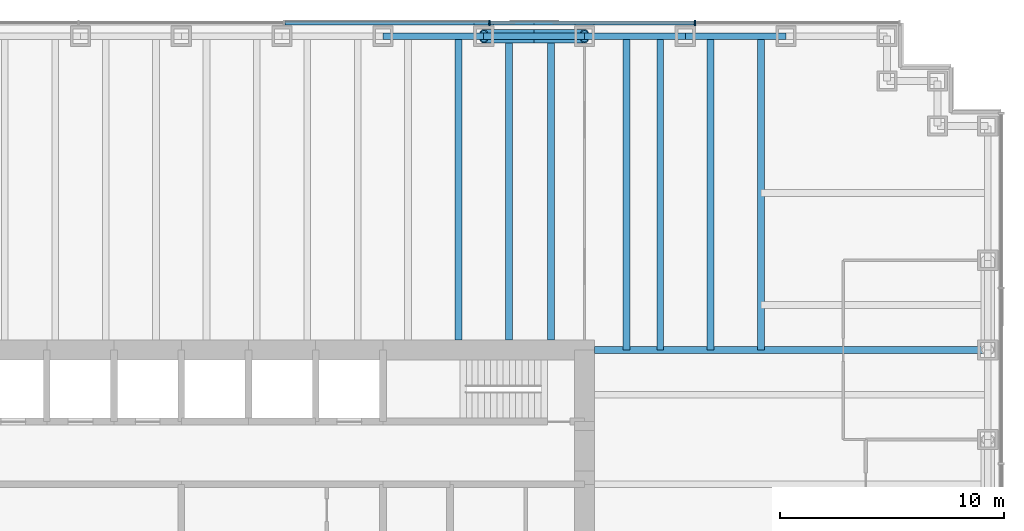
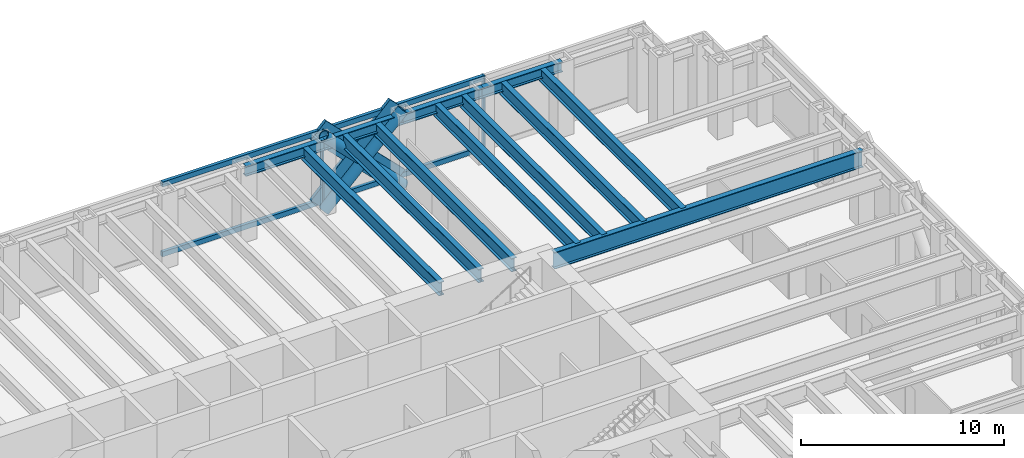
# One storey, part 6 of 13: 12 beams, 10 members, 1 element without a shape of its own.
"""IFC4 building model written with IfcOpenShell, lengths in metres."""

from ifc_helpers import new_model, si_unit, direction, frame, origin, origin_2d, place, context, subcontext, project, spatial, rectangle, hollow_circle, i_section, extrude, material, material_profile, profile_set, type_object, element, aggregate, save


model = new_model("IFC4")

# Units and contexts
model_context = context("Model", 3, precision=1e-05, world=origin(), true_north=direction((0.0, 1.0)))
body_context = subcontext(model_context, "Body", "Model", "MODEL_VIEW")
ifc_project = project(units=[si_unit("LENGTHUNIT", "METRE"), si_unit("AREAUNIT", "SQUARE_METRE"), si_unit("VOLUMEUNIT", "CUBIC_METRE"), si_unit("PLANEANGLEUNIT", "RADIAN"), si_unit("MASSUNIT", "GRAM", prefix="KILO")], contexts=[model_context])

# Site, building, storey
site_placement = place(None, origin())
site = spatial("IfcSite", under=ifc_project, at=site_placement, CompositionType="ELEMENT")
building_placement = place(site_placement, origin())
building = spatial("IfcBuilding", under=site, at=building_placement, Name="Rheinbord Bourse Tower", CompositionType="ELEMENT")
storey_placement = place(building_placement, frame((0.0, 0.0, 45.5)))
storey = spatial("IfcBuildingStorey", under=building, at=storey_placement, Name="L09", CompositionType="ELEMENT", Elevation=45.5)

# Curtain wall, members
ifc_material_1 = material(Name="Dark glass and black aluminium", Category="aluminium")
curtain_wall_type = type_object("IfcCurtainWallType", Name="CW1 DARK GLASS CURTAIN WALL", PredefinedType="USERDEFINED", material=ifc_material_1)
curtain_wall_placement = place(storey_placement, origin())
curtain_wall = element("IfcCurtainWall", 1, at=curtain_wall_placement, inside=storey, type_object=curtain_wall_type, Name="Curtain wall CW1 N L09", ObjectType="UNITISED CURTAIN WALL", PredefinedType="USERDEFINED")
ifc_material_2 = material(Name="Black anodised aluminium", Category="aluminium")
ifc_material_profile_1 = material_profile(ifc_material_2, rectangle(XDim=0.179931640625, YDim=1.2099609375, at=origin_2d()), Name="CW1 DIAGONAL MULLION 1210x180")
ifc_profile_set_1 = profile_set([ifc_material_profile_1], Name="Black anodised aluminium")
member_type_1 = type_object("IfcMemberType", Name="CW1 BLACK DIAGONAL MULLION", PredefinedType="USERDEFINED", material=ifc_profile_set_1)
member_1_placement = place(storey_placement, frame((49.5, 46.60009765625, 0.0), z_axis=(0.707106781187, 0.0, 0.707106781187), x_axis=(0.0, 1.0, 0.0)))
member_1 = element("IfcMember", 2, at=member_1_placement, type_object=member_type_1, Name="CW1 diagonal mullion a", ObjectType="DIAGONAL MULLION", PredefinedType="USERDEFINED", context=body_context, shape_type="SweptSolid", body=[
    extrude(rectangle(XDim=0.179931640625, YDim=1.2099609375, at=origin_2d()), origin(), (0.0, 0.0, 1.0), 6.364013671875),
])
member_2_placement = place(storey_placement, frame((54.0, 46.60009765625, 0.0), z_axis=(-0.707106781187, 0.0, 0.707106781187), x_axis=(0.0, -1.0, 0.0)))
member_2 = element("IfcMember", 3, at=member_2_placement, type_object=member_type_1, Name="CW1 diagonal mullion c", ObjectType="DIAGONAL MULLION", PredefinedType="USERDEFINED", context=body_context, shape_type="SweptSolid", body=[
    extrude(rectangle(XDim=0.179931640625, YDim=1.2099609375, at=origin_2d()), origin(), (0.0, 0.0, 1.0), 6.364013671875),
])
ifc_material_3 = material(Name="Black anodised aluminium", Category="aluminium")
ifc_material_profile_2 = material_profile(ifc_material_3, rectangle(XDim=0.25, YDim=0.080078125, at=origin_2d()), Name="CW1 MULLION 80x250")
ifc_profile_set_2 = profile_set([ifc_material_profile_2], Name="Black anodised aluminium")
member_type_2 = type_object("IfcMemberType", Name="CW1 BLACK MULLION", PredefinedType="MULLION", material=ifc_profile_set_2)
member_3_placement = place(storey_placement, frame((58.928466796875, 46.60009765625, 0.0), z_axis=(0.0, 0.0, 1.0), x_axis=(0.0, -1.0, 0.0)))
member_3 = element("IfcMember", 4, at=member_3_placement, type_object=member_type_2, Name="CW1 mullion 2", PredefinedType="MULLION", context=body_context, shape_type="SweptSolid", body=[
    extrude(rectangle(XDim=0.25, YDim=0.080078125, at=origin_2d()), origin(), (0.0, 0.0, 1.0), 4.5),
])
member_4_placement = place(storey_placement, frame((49.757080078125, 46.60009765625, 0.0), z_axis=(0.0, 0.0, 1.0), x_axis=(0.0, -1.0, 0.0)))
member_4 = element("IfcMember", 5, at=member_4_placement, type_object=member_type_2, Name="CW1 mullion 3", PredefinedType="MULLION", context=body_context, shape_type="SweptSolid", body=[
    extrude(rectangle(XDim=0.25, YDim=0.080078125, at=origin_2d()), origin(), (0.0, 0.0, 1.0), 4.5),
])
ifc_material_4 = material(Name="Black anodised aluminium", Category="aluminium")
ifc_material_profile_3 = material_profile(ifc_material_4, rectangle(XDim=0.179931640625, YDim=0.300048828125, at=origin_2d()), Name="CW1 TRANSOM 300x180")
ifc_profile_set_3 = profile_set([ifc_material_profile_3], Name="Black anodised aluminium")
member_type_3 = type_object("IfcMemberType", Name="CW1 BLACK TRANSOM", PredefinedType="USERDEFINED", material=ifc_profile_set_3)
member_5_placement = place(storey_placement, frame((58.888671875, 46.60009765625, 0.14990234375), z_axis=(-1.0, 0.0, 0.0), x_axis=(0.0, -1.0, 0.0)))
member_5 = element("IfcMember", 6, at=member_5_placement, type_object=member_type_3, Name="CW1 transom 2.1", ObjectType="TRANSOM", PredefinedType="USERDEFINED", context=body_context, shape_type="SweptSolid", body=[
    extrude(rectangle(XDim=0.179931640625, YDim=0.300048828125, at=origin_2d()), origin(), (0.0, 0.0, 1.0), 9.091552734375),
])
member_6_placement = place(storey_placement, frame((58.888671875, 46.60009765625, 4.35009765625), z_axis=(-1.0, 0.0, 0.0), x_axis=(0.0, -1.0, 0.0)))
member_6 = element("IfcMember", 7, at=member_6_placement, type_object=member_type_3, Name="CW1 transom 2.2", ObjectType="TRANSOM", PredefinedType="USERDEFINED", context=body_context, shape_type="SweptSolid", body=[
    extrude(rectangle(XDim=0.179931640625, YDim=0.300048828125, at=origin_2d()), origin(), (0.0, 0.0, 1.0), 9.091552734375),
])
member_7_placement = place(storey_placement, frame((49.717041015625, 46.60009765625, 0.14990234375), z_axis=(-1.0, 0.0, 0.0), x_axis=(0.0, -1.0, 0.0)))
member_7 = element("IfcMember", 8, at=member_7_placement, type_object=member_type_3, Name="CW1 transom 3.1", ObjectType="TRANSOM", PredefinedType="USERDEFINED", context=body_context, shape_type="SweptSolid", body=[
    extrude(rectangle(XDim=0.179931640625, YDim=0.300048828125, at=origin_2d()), origin(), (0.0, 0.0, 1.0), 9.09130859375),
])
member_8_placement = place(storey_placement, frame((49.717041015625, 46.60009765625, 4.35009765625), z_axis=(-1.0, 0.0, 0.0), x_axis=(0.0, -1.0, 0.0)))
member_8 = element("IfcMember", 9, at=member_8_placement, type_object=member_type_3, Name="CW1 transom 3.2", ObjectType="TRANSOM", PredefinedType="USERDEFINED", context=body_context, shape_type="SweptSolid", body=[
    extrude(rectangle(XDim=0.179931640625, YDim=0.300048828125, at=origin_2d()), origin(), (0.0, 0.0, 1.0), 9.09130859375),
])
aggregate(curtain_wall, [member_3, member_4, member_5, member_6, member_7, member_8, member_1, member_2])

# Beams
ifc_material_5 = material(Name="Steel S460", Category="steel")
ifc_material_profile_4 = material_profile(ifc_material_5, i_section(OverallWidth=0.300048828125, OverallDepth=0.800048828125, WebThickness=0.017578125, FlangeThickness=0.032958984375, at=origin_2d()), Name="HEB 800")
ifc_profile_set_4 = profile_set([ifc_material_profile_4], Name="Steel S460")
beam_type_1 = type_object("IfcBeamType", Name="FLOOR BEAM HEB 800", PredefinedType="BEAM", material=ifc_profile_set_4)
for number, where, z_axis, x_axis, name in (
    (10, (48.375, 46.0, 3.919921875), (0.0, -1.0, 0.0), (1.0, 0.0, 0.0), "Floor beam N-45b L10"),
    (11, (50.625, 46.0, 3.919921875), (0.0, -1.0, 0.0), (1.0, 0.0, 0.0), "Floor beam N-49.5a L10"),
    (12, (52.5, 46.0, 3.919921875), (0.0, -1.0, 0.0), (1.0, 0.0, 0.0), "Floor beam N-49.5b L10"),
):
    element("IfcBeam", number, at=place(storey_placement, frame(where, z_axis=z_axis, x_axis=x_axis)), inside=storey, type_object=beam_type_1, Name=name, PredefinedType="BEAM", context=body_context, shape_type="SweptSolid", body=[
        extrude(i_section(OverallWidth=0.300048828125, OverallDepth=0.800048828125, WebThickness=0.017578125, FlangeThickness=0.032958984375, at=origin_2d()), origin(), (0.0, 0.0, 1.0), 13.550048828125),
    ])
for number, where, z_axis, x_axis, name in (
    (13, (55.875, 46.0, 3.919921875), (0.0, -1.0, 0.0), (1.0, 0.0, 0.0), "Floor beam N-54a L10"),
    (14, (57.375, 46.0, 3.919921875), (0.0, -1.0, 0.0), (1.0, 0.0, 0.0), "Floor beam N-54b L10"),
    (15, (59.625, 46.0, 3.919921875), (0.0, -1.0, 0.0), (1.0, 0.0, 0.0), "Floor beam N-58.5a L10"),
    (16, (61.875, 46.0, 3.919921875), (0.0, -1.0, 0.0), (1.0, 0.0, 0.0), "Floor beam N-58.5b L10"),
):
    element("IfcBeam", number, at=place(storey_placement, frame(where, z_axis=z_axis, x_axis=x_axis)), inside=storey, type_object=beam_type_1, Name=name, PredefinedType="BEAM", context=body_context, shape_type="SweptSolid", body=[
        extrude(i_section(OverallWidth=0.300048828125, OverallDepth=0.800048828125, WebThickness=0.017578125, FlangeThickness=0.032958984375, at=origin_2d()), origin(), (0.0, 0.0, 1.0), 14.0),
    ])
ifc_material_6 = material(Name="Steel S460", Category="steel")
ifc_material_profile_5 = material_profile(ifc_material_6, i_section(OverallWidth=0.302001953125, OverallDepth=1.008056640625, WebThickness=0.02099609375, FlangeThickness=0.0400390625, at=origin_2d()), Name="HEM 1000")
ifc_profile_set_5 = profile_set([ifc_material_profile_5], Name="Steel S460")
beam_type_2 = type_object("IfcBeamType", Name="GIRDER HEM 1000", PredefinedType="BEAM", material=ifc_profile_set_5)
beam_placement = place(storey_placement, frame((54.449951171875, 32.0, 3.81591796875), z_axis=(1.0, 0.0, 0.0), x_axis=(0.0, 1.0, 0.0)))
element("IfcBeam", 17, at=beam_placement, inside=storey, type_object=beam_type_2, Name="Girder east 32 L10", PredefinedType="BEAM", context=body_context, shape_type="SweptSolid", body=[
    extrude(i_section(OverallWidth=0.302001953125, OverallDepth=1.008056640625, WebThickness=0.02099609375, FlangeThickness=0.0400390625, at=origin_2d()), origin(), (0.0, 0.0, 1.0), 17.550048828125),
])

# Members
ifc_material_7 = material(Name="Steel S460", Category="steel")
ifc_material_profile_6 = material_profile(ifc_material_7, hollow_circle(Radius=0.304931640625, WallThickness=0.050048828125, at=origin_2d()), Name="CHS 610x50")
ifc_profile_set_6 = profile_set([ifc_material_profile_6], Name="Steel S460")
member_type_4 = type_object("IfcMemberType", Name="MEGABRACE CHS 610x50", PredefinedType="BRACE", material=ifc_profile_set_6)
for number, where, z_axis, x_axis, name in (
    (18, (49.5, 46.0, 0.0), (0.707106781187, 0.0, 0.707106781187), (0.0, 1.0, 0.0), "Megabrace N face line a L09"),
    (19, (54.0, 46.0, 0.0), (-0.707106781187, 0.0, 0.707106781187), (0.0, -1.0, 0.0), "Megabrace N face line c L09"),
):
    element("IfcMember", number, at=place(storey_placement, frame(where, z_axis=z_axis, x_axis=x_axis)), inside=storey, type_object=member_type_4, Name=name, PredefinedType="BRACE", context=body_context, shape_type="SweptSolid", body=[
        extrude(hollow_circle(Radius=0.304931640625, WallThickness=0.050048828125, at=origin_2d()), origin(), (0.0, 0.0, 1.0), 6.364013671875),
    ])

# Beams
ifc_material_8 = material(Name="Steel S460", Category="steel")
ifc_material_profile_7 = material_profile(ifc_material_8, i_section(OverallWidth=0.304931640625, OverallDepth=0.6201171875, WebThickness=0.02099609375, FlangeThickness=0.0400390625, at=origin_2d()), Name="HEM 600")
ifc_profile_set_7 = profile_set([ifc_material_profile_7], Name="Steel S460")
beam_type_3 = type_object("IfcBeamType", Name="SPANDREL HEM 600", PredefinedType="SPANDREL", material=ifc_profile_set_7)
for number, where, z_axis, x_axis, name in (
    (20, (63.0, 46.0, 4.010009765625), (-1.0, 0.0, 0.0), (0.0, -1.0, 0.0), "Spandrel N-63-N-58.5 under L10"),
    (21, (58.5, 46.0, 4.010009765625), (-1.0, 0.0, 0.0), (0.0, -1.0, 0.0), "Spandrel N-58.5-N-54 under L10"),
    (22, (54.0, 46.0, 4.010009765625), (-1.0, 0.0, 0.0), (0.0, -1.0, 0.0), "Spandrel N-54-N-49.5 under L10"),
    (23, (49.5, 46.0, 4.010009765625), (-1.0, 0.0, 0.0), (0.0, -1.0, 0.0), "Spandrel N-49.5-N-45 under L10"),
):
    element("IfcBeam", number, at=place(storey_placement, frame(where, z_axis=z_axis, x_axis=x_axis)), inside=storey, type_object=beam_type_3, Name=name, PredefinedType="SPANDREL", context=body_context, shape_type="SweptSolid", body=[
        extrude(i_section(OverallWidth=0.304931640625, OverallDepth=0.6201171875, WebThickness=0.02099609375, FlangeThickness=0.0400390625, at=origin_2d()), origin(), (0.0, 0.0, 1.0), 4.5),
    ])

save(model, "model.ifc")
